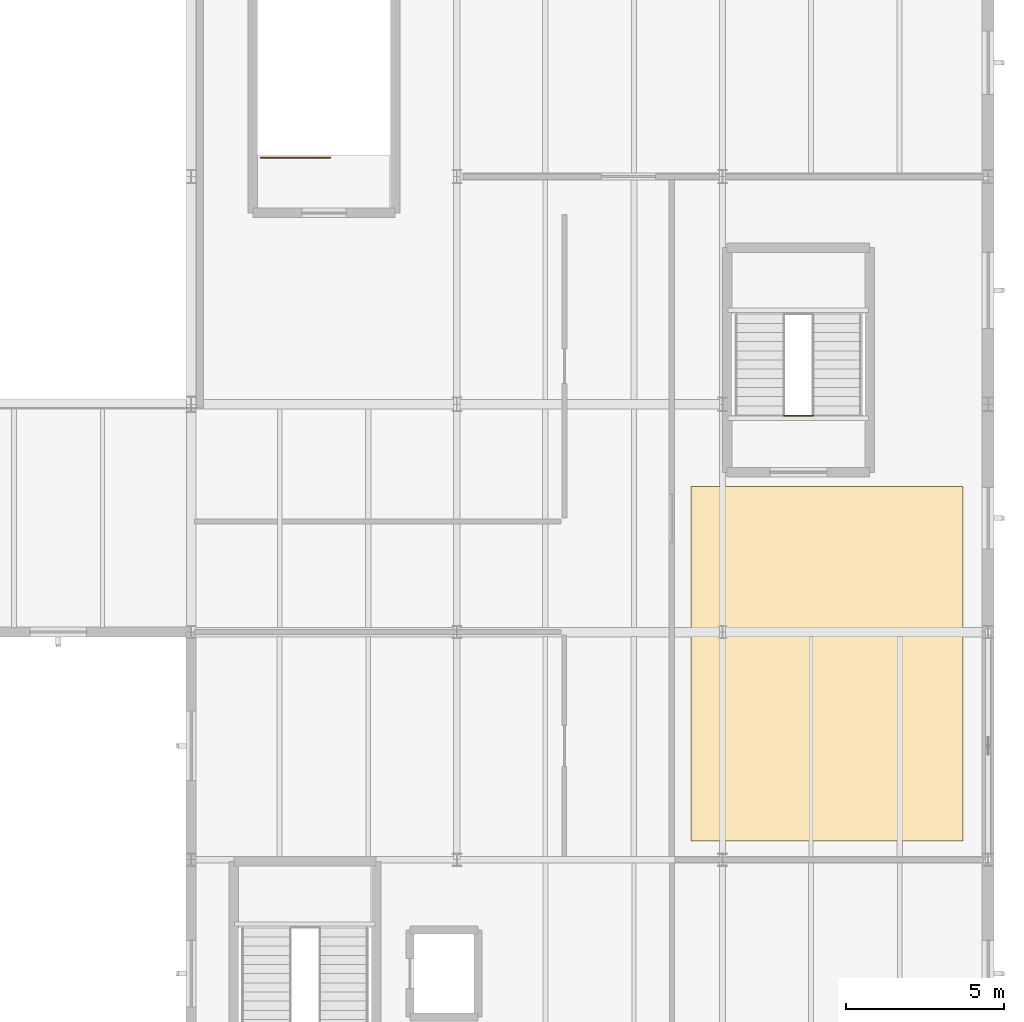
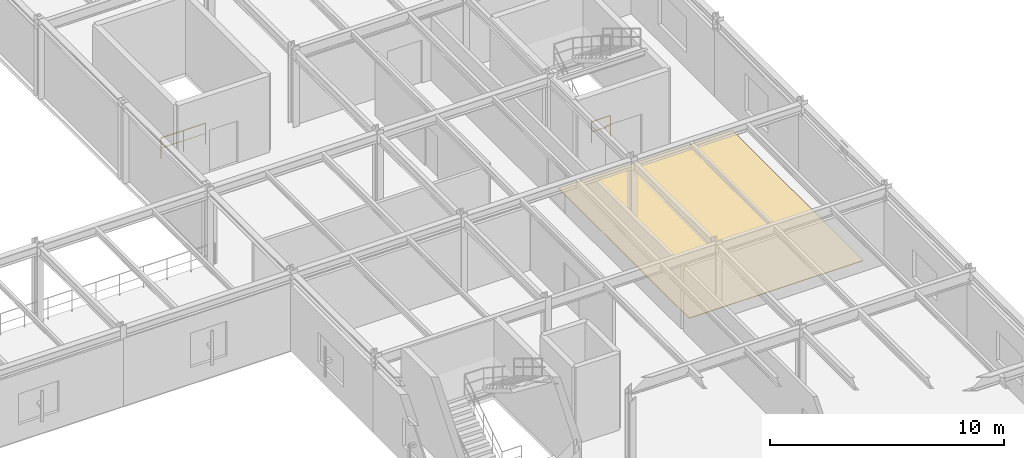
# One storey, part 104 of 109: 2 railings, 1 covering.
"""IFC4 building model written with IfcOpenShell, lengths in metres."""

from ifc_helpers import new_model, si_unit, derived_unit, direction, frame, origin, origin_2d, place, context, subcontext, project, spatial, polyline, circle, outline, extrude, material, layer, layer_set, type_object, element, save


model = new_model("IFC4")

# Units and contexts
model_context = context("Model", 3, precision=1e-05, world=origin(), true_north=direction((0.0, 1.0)))
body_context = subcontext(model_context, "Body", "Model", "MODEL_VIEW")
ifc_project = project(units=[si_unit("LENGTHUNIT", "METRE"), si_unit("AREAUNIT", "SQUARE_METRE"), si_unit("VOLUMEUNIT", "CUBIC_METRE"), si_unit("PLANEANGLEUNIT", "RADIAN"), si_unit("MASSUNIT", "GRAM", prefix="KILO"), derived_unit("THERMALTRANSMITTANCEUNIT", [(si_unit("MASSUNIT", "GRAM", prefix="KILO"), 1), (si_unit("TIMEUNIT", "SECOND"), -3), (si_unit("THERMODYNAMICTEMPERATUREUNIT", "KELVIN"), -1)])], contexts=[model_context])

# Site, building, storey
site_placement = place(None, origin())
site = spatial("IfcSite", under=ifc_project, at=site_placement, CompositionType="ELEMENT")
building_placement = place(site_placement, origin())
building = spatial("IfcBuilding", under=site, at=building_placement, Name="Kharveza Railside Sports Centre", CompositionType="ELEMENT")
storey_placement = place(building_placement, frame((0.0, 0.0, 4.5)))
storey = spatial("IfcBuildingStorey", under=building, at=storey_placement, Name="L01", CompositionType="ELEMENT", Elevation=4.5)

# Covering
ifc_material_1 = material(Name="EPDM shock-absorbing running track surfacing")
ifc_layer = layer(ifc_material_1, 0.02490234375, Name="EPDM shock-absorbing running track surfacing")
ifc_layer_set = layer_set([ifc_layer], Name="EPDM shock-absorbing running track surfacing")
covering_type = type_object("IfcCoveringType", Name="CV-FL02", PredefinedType="FLOORING", material=ifc_layer_set)
covering_placement = place(storey_placement, origin())
element("IfcCovering", 1, at=covering_placement, inside=storey, type_object=covering_type, Name="COV-FL-FIT1", PredefinedType="FLOORING", context=body_context, shape_type="SweptSolid", body=[
    extrude(outline(polyline([(167.199951171875, 65.39990234375), (158.60009765625, 65.39990234375), (158.60009765625, 76.60009765625), (167.199951171875, 76.60009765625), (167.199951171875, 65.39990234375)])), origin(), (0.0, 0.0, 1.0), 0.02490234375),
])

# Railings
ifc_material_2 = material(Name="Steel S275JR", Category="steel")
railing_type = type_object("IfcRailingType", Name="RL-GD110", PredefinedType="GUARDRAIL", material=ifc_material_2)
railing_1_placement = place(storey_placement, frame((161.530029296875, 78.840087890625, 0.0)))
element("IfcRailing", 2, at=railing_1_placement, inside=storey, type_object=railing_type, Name="RL-STSLOT-ST4-L01", PredefinedType="GUARDRAIL", context=body_context, shape_type="SweptSolid", body=[
    extrude(circle(Radius=0.02392578125, at=origin_2d()), frame((0.0, 0.0, 1.09619140625), z_axis=(1.0, 0.0, 0.0), x_axis=(0.0, 1.0, 0.0)), (0.0, 0.0, 1.0), 0.93994140625),
    extrude(circle(Radius=0.01611328125, at=origin_2d()), frame((0.0, 0.0, 0.56005859375), z_axis=(1.0, 0.0, 0.0), x_axis=(0.0, 1.0, 0.0)), (0.0, 0.0, 1.0), 0.93994140625),
    extrude(circle(Radius=0.02099609375, at=origin_2d()), origin(), (0.0, 0.0, 1.0), 1.072021484375),
    extrude(circle(Radius=0.02099609375, at=origin_2d()), frame((0.93994140625, 0.0, 0.0)), (0.0, 0.0, 1.0), 1.072021484375),
])
railing_2_placement = place(storey_placement, frame((145.0, 87.0, 0.0)))
element("IfcRailing", 3, at=railing_2_placement, inside=storey, type_object=railing_type, Name="RL-STTOP-ST13-L01", PredefinedType="GUARDRAIL", context=body_context, shape_type="SweptSolid", body=[
    extrude(circle(Radius=0.02392578125, at=origin_2d()), frame((0.0, 0.0, 1.09619140625), z_axis=(1.0, 0.0, 0.0), x_axis=(0.0, 1.0, 0.0)), (0.0, 0.0, 1.0), 2.199951171875),
    extrude(circle(Radius=0.01611328125, at=origin_2d()), frame((0.0, 0.0, 0.56005859375), z_axis=(1.0, 0.0, 0.0), x_axis=(0.0, 1.0, 0.0)), (0.0, 0.0, 1.0), 2.199951171875),
    extrude(circle(Radius=0.02099609375, at=origin_2d()), origin(), (0.0, 0.0, 1.0), 1.072021484375),
    extrude(circle(Radius=0.02099609375, at=origin_2d()), frame((1.10009765625, 0.0, 0.0)), (0.0, 0.0, 1.0), 1.072021484375),
    extrude(circle(Radius=0.02099609375, at=origin_2d()), frame((2.199951171875, 0.0, 0.0)), (0.0, 0.0, 1.0), 1.072021484375),
])

save(model, "model.ifc")
